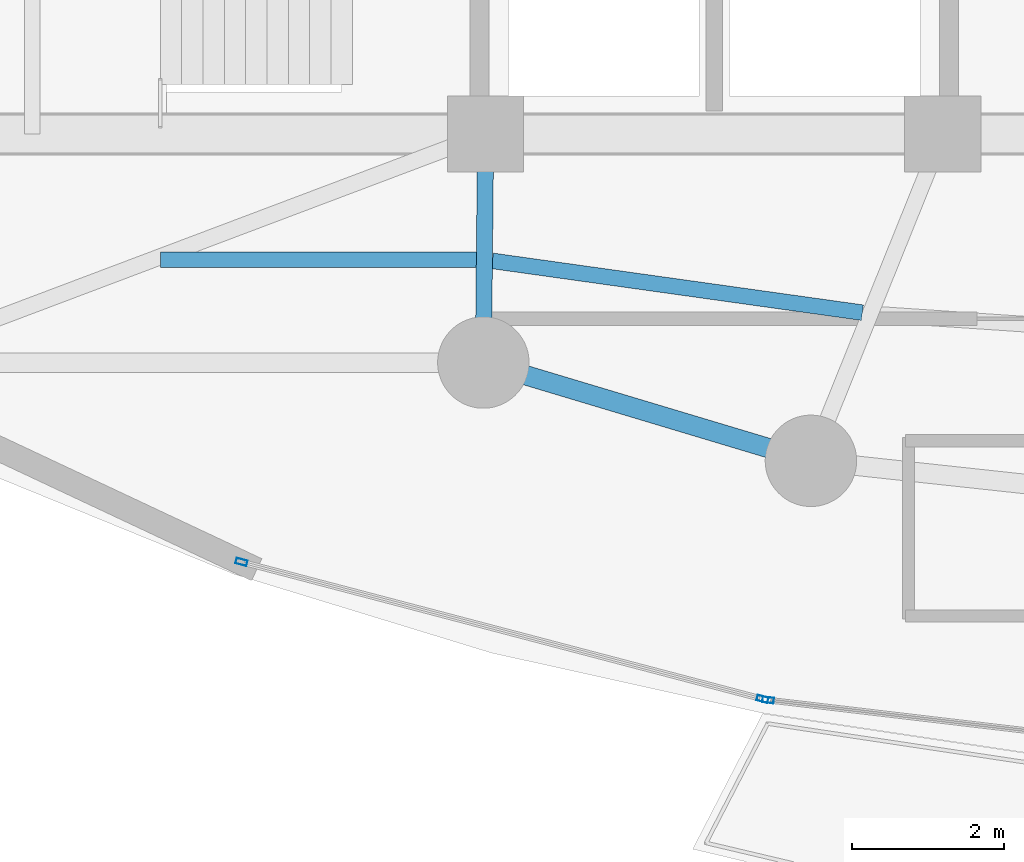
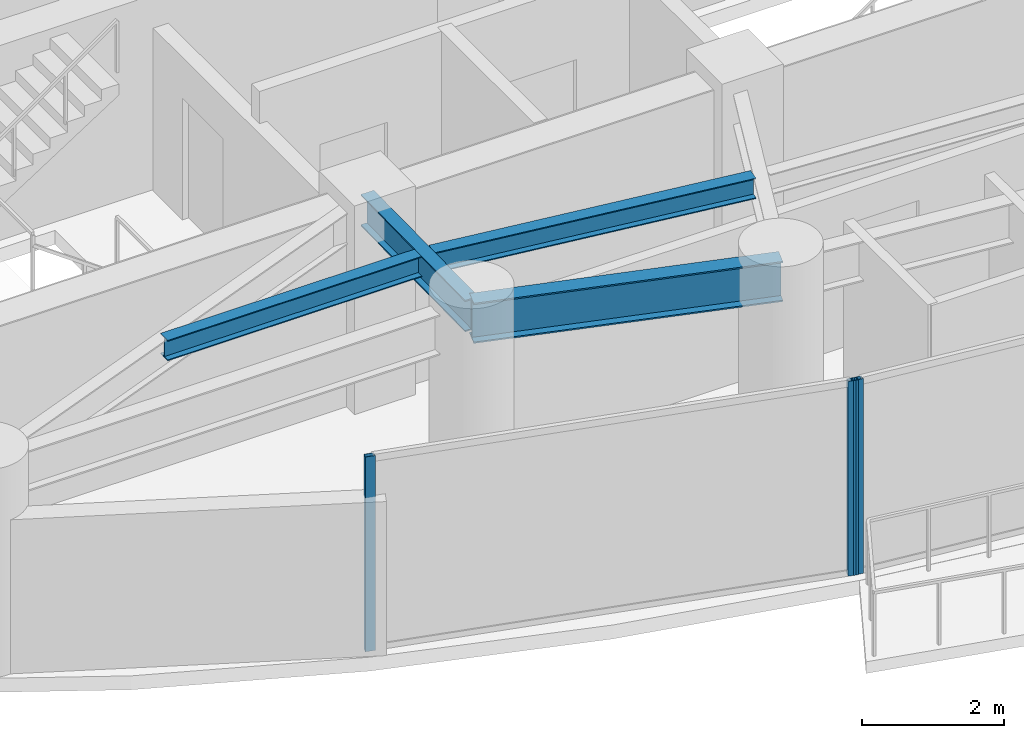
# One storey, part 5 of 34: 4 beams, 3 members, 2 elements without a shape of their own.
"""IFC4 building model written with IfcOpenShell, lengths in metres."""

from ifc_helpers import new_model, si_unit, direction, frame, origin, origin_2d, place, context, subcontext, project, spatial, hollow_rectangle, i_section, extrude, material, layer, layer_set, material_profile, profile_set, type_object, element, aggregate, save


model = new_model("IFC4")

# Units and contexts
model_context = context("Model", 3, precision=1e-05, world=origin(), true_north=direction((0.0, 1.0)))
body_context = subcontext(model_context, "Body", "Model", "MODEL_VIEW")
ifc_project = project(units=[si_unit("LENGTHUNIT", "METRE"), si_unit("AREAUNIT", "SQUARE_METRE"), si_unit("VOLUMEUNIT", "CUBIC_METRE"), si_unit("PLANEANGLEUNIT", "RADIAN"), si_unit("MASSUNIT", "GRAM", prefix="KILO")], contexts=[model_context])

# Site, building, storey
site_placement = place(None, origin())
site = spatial("IfcSite", under=ifc_project, at=site_placement, CompositionType="ELEMENT")
building_placement = place(site_placement, origin())
building = spatial("IfcBuilding", under=site, at=building_placement, Name="Kazevale Care Tower and Concert Hall", CompositionType="ELEMENT")
storey_placement = place(building_placement, frame((0.0, 0.0, 167.39990234375)))
storey = spatial("IfcBuildingStorey", under=building, at=storey_placement, Name="L44", CompositionType="ELEMENT", Elevation=167.39990234375)

# Curtain wall, member
ifc_material_1 = material(Name="Aluminium 6063-T6 and Low-E Glass", Category="aluminium")
ifc_layer = layer(ifc_material_1, 0.179931640625)
ifc_layer_set = layer_set([ifc_layer], Name="Aluminium 6063-T6 and Low-E Glass")
curtain_wall_type = type_object("IfcCurtainWallType", Name="Sheltered Concave Balcony Curtain Wall CW-5", PredefinedType="NOTDEFINED", material=ifc_layer_set)
curtain_wall_1_placement = place(storey_placement, origin())
curtain_wall_1 = element("IfcCurtainWall", 1, at=curtain_wall_1_placement, inside=storey, type_object=curtain_wall_type, Name="cw:L44:f07", PredefinedType="NOTDEFINED")
ifc_material_2 = material(Name="Aluminium 6063-T6", Category="aluminium")
ifc_material_profile_1 = material_profile(ifc_material_2, hollow_rectangle(XDim=0.074951171875, YDim=0.14990234375, WallThickness=0.00390625, at=origin_2d()), Name="ALU75x150x4")
ifc_profile_set_1 = profile_set([ifc_material_profile_1], Name="Aluminium 6063-T6")
member_type = type_object("IfcMemberType", Name="CW-5 Mullion ALU75x150x4", PredefinedType="MULLION", material=ifc_profile_set_1)
member_1_placement = place(storey_placement, frame((33.708251953125, 16.169677734375, 0.0), z_axis=(0.0, 0.0, 1.0), x_axis=(-0.117372179238, -0.993087997884, 0.0)))
member_1 = element("IfcMember", 2, at=member_1_placement, type_object=member_type, Name="CW-5 mullion 2", PredefinedType="MULLION", context=body_context, shape_type="SweptSolid", body=[
    extrude(hollow_rectangle(XDim=0.074951171875, YDim=0.14990234375, WallThickness=0.00390625, at=origin_2d()), origin(), (0.0, 0.0, 1.0), 3.360107421875),
])
aggregate(curtain_wall_1, [member_1])

# Curtain wall, members
curtain_wall_2_placement = place(storey_placement, origin())
curtain_wall_2 = element("IfcCurtainWall", 3, at=curtain_wall_2_placement, inside=storey, type_object=curtain_wall_type, Name="cw:L44:f08", PredefinedType="NOTDEFINED")
member_2_placement = place(storey_placement, frame((33.634765625, 16.18359375, 0.0), z_axis=(0.0, 0.0, 1.0), x_axis=(-0.254238458229, -0.967141564797, 0.0)))
member_2 = element("IfcMember", 4, at=member_2_placement, type_object=member_type, Name="CW-5 mullion 1", PredefinedType="MULLION", context=body_context, shape_type="SweptSolid", body=[
    extrude(hollow_rectangle(XDim=0.074951171875, YDim=0.14990234375, WallThickness=0.00390625, at=origin_2d()), origin(), (0.0, 0.0, 1.0), 3.360107421875),
])
member_3_placement = place(storey_placement, frame((26.795166015625, 17.9814453125, 0.0), z_axis=(0.0, 0.0, 1.0), x_axis=(-0.254238458229, -0.967141564797, 0.0)))
member_3 = element("IfcMember", 5, at=member_3_placement, type_object=member_type, Name="CW-5 mullion 2", PredefinedType="MULLION", context=body_context, shape_type="SweptSolid", body=[
    extrude(hollow_rectangle(XDim=0.074951171875, YDim=0.14990234375, WallThickness=0.00390625, at=origin_2d()), origin(), (0.0, 0.0, 1.0), 3.360107421875),
])
aggregate(curtain_wall_2, [member_2, member_3])

# Beams
ifc_material_3 = material(Name="Steel ASTM A572 Gr 50", Category="steel")
ifc_material_profile_2 = material_profile(ifc_material_3, i_section(OverallWidth=0.2119140625, OverallDepth=0.5439453125, WebThickness=0.01318359375, FlangeThickness=0.021240234375, at=origin_2d()), Name="W530x123")
ifc_profile_set_2 = profile_set([ifc_material_profile_2], Name="Steel ASTM A572 Gr 50")
beam_type_1 = type_object("IfcBeamType", Name="Radial Floor Girder W530x123", PredefinedType="BEAM", material=ifc_profile_set_2)
beam_1_placement = place(storey_placement, frame((30.0, 23.60009765625, 3.088134765625), z_axis=(-0.010009264196, -0.99994990606, 0.0), x_axis=(0.99994990606, -0.010009264196, 0.0)))
element("IfcBeam", 6, at=beam_1_placement, inside=storey, type_object=beam_type_1, Name="beam:L44:rad:11", PredefinedType="BEAM", context=body_context, shape_type="SweptSolid", body=[
    extrude(i_section(OverallWidth=0.2119140625, OverallDepth=0.5439453125, WebThickness=0.01318359375, FlangeThickness=0.021240234375, at=origin_2d()), origin(), (0.0, 0.0, 1.0), 3.000244140625),
])
ifc_material_profile_3 = material_profile(ifc_material_3, i_section(OverallWidth=0.205078125, OverallDepth=0.35400390625, WebThickness=0.009521484375, FlangeThickness=0.016845703125, at=origin_2d()), Name="W360x79")
ifc_profile_set_3 = profile_set([ifc_material_profile_3], Name="Steel ASTM A572 Gr 50")
beam_type_2 = type_object("IfcBeamType", Name="Secondary Floor Joist W360x79", PredefinedType="JOIST", material=ifc_profile_set_3)
beam_2_placement = place(storey_placement, frame((25.73291015625, 21.949951171875, 3.18310546875), z_axis=(1.0, 0.0, 0.0), x_axis=(0.0, 1.0, 0.0)))
element("IfcBeam", 7, at=beam_2_placement, inside=storey, type_object=beam_type_2, Name="beam:L44:joist:10", PredefinedType="JOIST", context=body_context, shape_type="SweptSolid", body=[
    extrude(i_section(OverallWidth=0.205078125, OverallDepth=0.35400390625, WebThickness=0.009521484375, FlangeThickness=0.016845703125, at=origin_2d()), origin(), (0.0, 0.0, 1.0), 4.14501953125),
])
beam_3_placement = place(storey_placement, frame((30.0869140625, 21.93505859375, 3.18310546875), z_axis=(0.990340789942, -0.138654678164, 0.0), x_axis=(0.138654678164, 0.990340789942, 0.0)))
element("IfcBeam", 8, at=beam_3_placement, inside=storey, type_object=beam_type_2, Name="beam:L44:joist:11", PredefinedType="JOIST", context=body_context, shape_type="SweptSolid", body=[
    extrude(i_section(OverallWidth=0.205078125, OverallDepth=0.35400390625, WebThickness=0.009521484375, FlangeThickness=0.016845703125, at=origin_2d()), origin(), (0.0, 0.0, 1.0), 4.905517578125),
])
ifc_material_profile_4 = material_profile(ifc_material_3, i_section(OverallWidth=0.256103515625, OverallDepth=0.693115234375, WebThickness=0.014404296875, FlangeThickness=0.023681640625, at=origin_2d()), Name="W690x170")
ifc_profile_set_4 = profile_set([ifc_material_profile_4], Name="Steel ASTM A572 Gr 50")
beam_type_3 = type_object("IfcBeamType", Name="Waist Ring Beam W690x170", PredefinedType="BEAM", material=ifc_profile_set_4)
beam_4_placement = place(storey_placement, frame((29.969970703125, 20.60009765625, 3.013671875), z_axis=(0.957824788464, -0.287352874709, 0.0), x_axis=(0.287352874709, 0.957824788464, 0.0)))
element("IfcBeam", 9, at=beam_4_placement, inside=storey, type_object=beam_type_3, Name="beam:L44:ring:11", PredefinedType="BEAM", context=body_context, shape_type="SweptSolid", body=[
    extrude(i_section(OverallWidth=0.256103515625, OverallDepth=0.693115234375, WebThickness=0.014404296875, FlangeThickness=0.023681640625, at=origin_2d()), origin(), (0.0, 0.0, 1.0), 4.489501953125),
])

save(model, "model.ifc")
